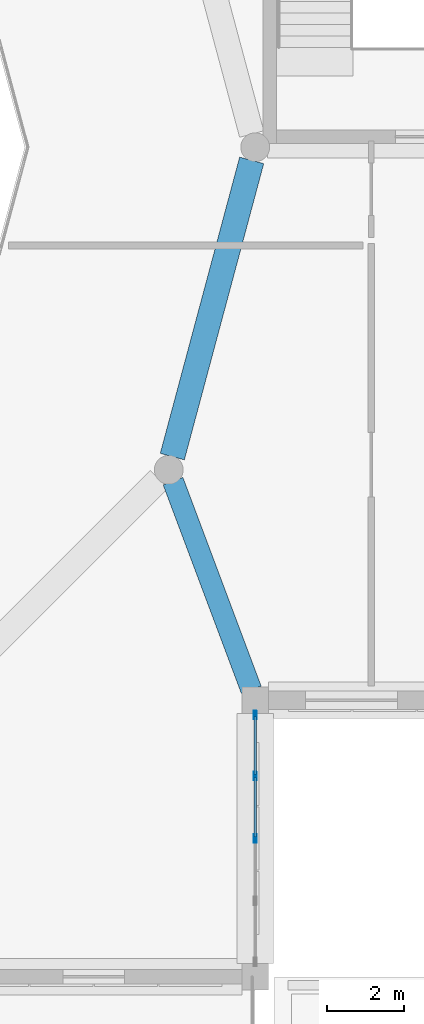
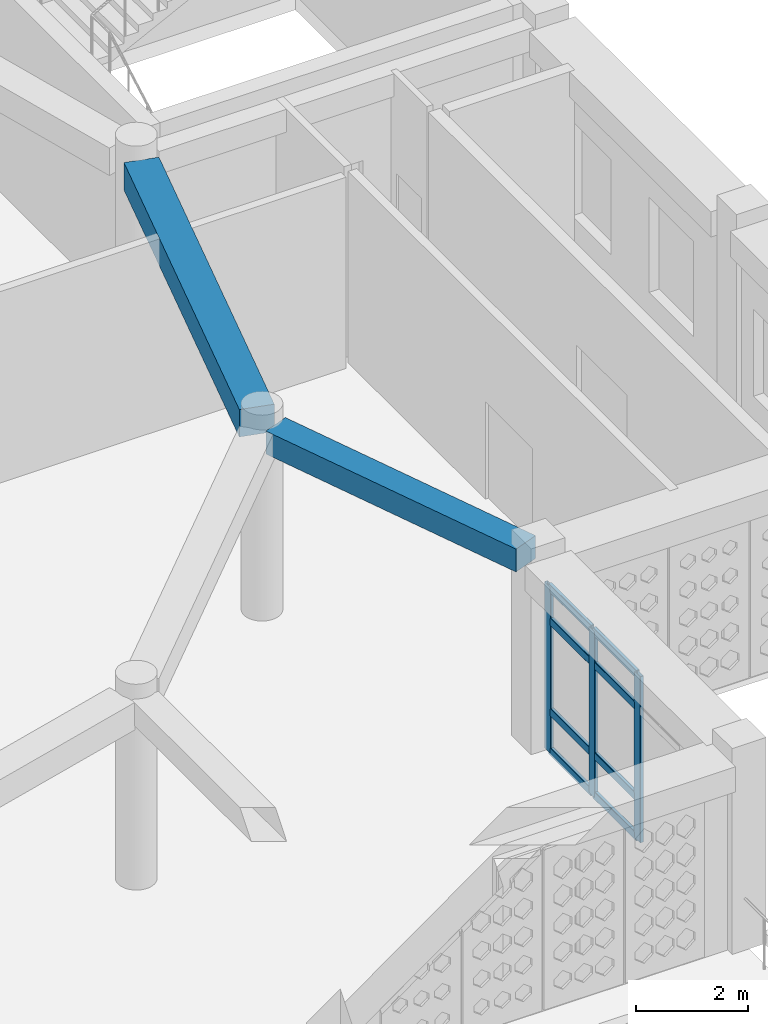
# One storey, part 22 of 100: 11 members, 2 beams, 1 element without a shape of its own.
"""IFC4 building model written with IfcOpenShell, lengths in metres."""

from ifc_helpers import new_model, si_unit, derived_unit, direction, frame, origin, origin_2d, place, context, subcontext, project, spatial, rectangle, hollow_rectangle, extrude, material, material_profile, profile_set, type_object, element, aggregate, save


model = new_model("IFC4")

# Units and contexts
model_context = context("Model", 3, precision=1e-05, world=origin(), true_north=direction((0.0, 1.0)))
body_context = subcontext(model_context, "Body", "Model", "MODEL_VIEW")
ifc_project = project(units=[si_unit("LENGTHUNIT", "METRE"), si_unit("AREAUNIT", "SQUARE_METRE"), si_unit("VOLUMEUNIT", "CUBIC_METRE"), si_unit("PLANEANGLEUNIT", "RADIAN"), si_unit("MASSUNIT", "GRAM", prefix="KILO"), derived_unit("THERMALTRANSMITTANCEUNIT", [(si_unit("POWERUNIT", "WATT"), 1), (si_unit("LENGTHUNIT", "METRE"), -2), (si_unit("THERMODYNAMICTEMPERATUREUNIT", "KELVIN"), -1)])], contexts=[model_context])

# Site, building, storey
site_placement = place(None, origin())
site = spatial("IfcSite", under=ifc_project, at=site_placement, CompositionType="ELEMENT")
building_placement = place(site_placement, origin())
building = spatial("IfcBuilding", under=site, at=building_placement, Name="Veybourne Emporium", CompositionType="ELEMENT")
storey_placement = place(building_placement, frame((0.0, 0.0, 14.39990234375)))
storey = spatial("IfcBuildingStorey", under=building, at=storey_placement, Name="L03", CompositionType="ELEMENT", Elevation=14.39990234375)

# Curtain wall, members
ifc_material_1 = material(Name="Patinated Architectural Bronze", Category="bronze")
curtain_wall_type = type_object("IfcCurtainWallType", Name="CWSystem_CWS-17", PredefinedType="NOTDEFINED", material=ifc_material_1)
curtain_wall_placement = place(storey_placement, origin())
curtain_wall = element("IfcCurtainWall", 1, at=curtain_wall_placement, inside=storey, type_object=curtain_wall_type, Name="L03 bronze glazed curtain wall CWS-17 (042)", PredefinedType="NOTDEFINED")
ifc_material_profile_1 = material_profile(ifc_material_1, hollow_rectangle(XDim=0.072021484375, YDim=0.22509765625, WallThickness=0.0048828125, InnerFilletRadius=0.007568359375, OuterFilletRadius=0.012451171875, at=origin_2d()), Name="CWM 72x225x5")
ifc_profile_set_1 = profile_set([ifc_material_profile_1], Name="Patinated Architectural Bronze")
member_type_1 = type_object("IfcMemberType", Name="CWMullion_CW-M1", PredefinedType="MULLION", material=ifc_profile_set_1)
member_1_placement = place(storey_placement, frame((92.39990234375, 35.614013671875, 0.0), z_axis=(0.0, 0.0, 1.0), x_axis=(1.0, 0.0, 0.0)))
member_1 = element("IfcMember", 2, at=member_1_placement, type_object=member_type_1, Name="CWS-17 mullion 1", PredefinedType="MULLION", context=body_context, shape_type="SweptSolid", body=[
    extrude(hollow_rectangle(XDim=0.072021484375, YDim=0.22509765625, WallThickness=0.0048828125, InnerFilletRadius=0.007568359375, OuterFilletRadius=0.012451171875, at=origin_2d()), origin(), (0.0, 0.0, 1.0), 3.630126953125),
])
member_2_placement = place(storey_placement, frame((92.39990234375, 34.02490234375, 0.0), z_axis=(0.0, 0.0, 1.0), x_axis=(1.0, 0.0, 0.0)))
member_2 = element("IfcMember", 3, at=member_2_placement, type_object=member_type_1, Name="CWS-17 mullion 2", PredefinedType="MULLION", context=body_context, shape_type="SweptSolid", body=[
    extrude(hollow_rectangle(XDim=0.072021484375, YDim=0.22509765625, WallThickness=0.0048828125, InnerFilletRadius=0.007568359375, OuterFilletRadius=0.012451171875, at=origin_2d()), origin(), (0.0, 0.0, 1.0), 3.630126953125),
])
member_3_placement = place(storey_placement, frame((92.39990234375, 32.39990234375, 0.0), z_axis=(0.0, 0.0, 1.0), x_axis=(1.0, 0.0, 0.0)))
member_3 = element("IfcMember", 4, at=member_3_placement, type_object=member_type_1, Name="CWS-17 mullion 3", PredefinedType="MULLION", context=body_context, shape_type="SweptSolid", body=[
    extrude(hollow_rectangle(XDim=0.072021484375, YDim=0.22509765625, WallThickness=0.0048828125, InnerFilletRadius=0.007568359375, OuterFilletRadius=0.012451171875, at=origin_2d()), origin(), (0.0, 0.0, 1.0), 3.630126953125),
])
ifc_material_profile_2 = material_profile(ifc_material_1, hollow_rectangle(XDim=0.072021484375, YDim=0.175048828125, WallThickness=0.0048828125, InnerFilletRadius=0.007568359375, OuterFilletRadius=0.012451171875, at=origin_2d()), Name="CWT 72x175x5")
ifc_profile_set_2 = profile_set([ifc_material_profile_2], Name="Patinated Architectural Bronze")
member_type_2 = type_object("IfcMemberType", Name="CWTransom_CW-T1", PredefinedType="NOTDEFINED", material=ifc_profile_set_2)
member_4_placement = place(storey_placement, frame((92.39990234375, 35.577880859375, 0.0361328125), z_axis=(0.0, -1.0, 0.0), x_axis=(1.0, 0.0, 0.0)))
member_4 = element("IfcMember", 5, at=member_4_placement, type_object=member_type_2, Name="CWS-17 transom 1.1", ObjectType="TRANSOM", PredefinedType="USERDEFINED", context=body_context, shape_type="SweptSolid", body=[
    extrude(hollow_rectangle(XDim=0.072021484375, YDim=0.175048828125, WallThickness=0.0048828125, InnerFilletRadius=0.007568359375, OuterFilletRadius=0.012451171875, at=origin_2d()), origin(), (0.0, 0.0, 1.0), 1.516845703125),
])
member_5_placement = place(storey_placement, frame((92.39990234375, 35.577880859375, 0.900146484375), z_axis=(0.0, -1.0, 0.0), x_axis=(1.0, 0.0, 0.0)))
member_5 = element("IfcMember", 6, at=member_5_placement, type_object=member_type_2, Name="CWS-17 transom 1.2", ObjectType="TRANSOM", PredefinedType="USERDEFINED", context=body_context, shape_type="SweptSolid", body=[
    extrude(hollow_rectangle(XDim=0.072021484375, YDim=0.175048828125, WallThickness=0.0048828125, InnerFilletRadius=0.007568359375, OuterFilletRadius=0.012451171875, at=origin_2d()), origin(), (0.0, 0.0, 1.0), 1.516845703125),
])
member_6_placement = place(storey_placement, frame((92.39990234375, 35.577880859375, 2.880126953125), z_axis=(0.0, -1.0, 0.0), x_axis=(1.0, 0.0, 0.0)))
member_6 = element("IfcMember", 7, at=member_6_placement, type_object=member_type_2, Name="CWS-17 transom 1.3", ObjectType="TRANSOM", PredefinedType="USERDEFINED", context=body_context, shape_type="SweptSolid", body=[
    extrude(hollow_rectangle(XDim=0.072021484375, YDim=0.175048828125, WallThickness=0.0048828125, InnerFilletRadius=0.007568359375, OuterFilletRadius=0.012451171875, at=origin_2d()), origin(), (0.0, 0.0, 1.0), 1.516845703125),
])
member_7_placement = place(storey_placement, frame((92.39990234375, 35.577880859375, 3.593994140625), z_axis=(0.0, -1.0, 0.0), x_axis=(1.0, 0.0, 0.0)))
member_7 = element("IfcMember", 8, at=member_7_placement, type_object=member_type_2, Name="CWS-17 transom 1.4", ObjectType="TRANSOM", PredefinedType="USERDEFINED", context=body_context, shape_type="SweptSolid", body=[
    extrude(hollow_rectangle(XDim=0.072021484375, YDim=0.175048828125, WallThickness=0.0048828125, InnerFilletRadius=0.007568359375, OuterFilletRadius=0.012451171875, at=origin_2d()), origin(), (0.0, 0.0, 1.0), 1.516845703125),
])
member_8_placement = place(storey_placement, frame((92.39990234375, 33.989013671875, 0.0361328125), z_axis=(0.0, -1.0, 0.0), x_axis=(1.0, 0.0, 0.0)))
member_8 = element("IfcMember", 9, at=member_8_placement, type_object=member_type_2, Name="CWS-17 transom 2.1", ObjectType="TRANSOM", PredefinedType="USERDEFINED", context=body_context, shape_type="SweptSolid", body=[
    extrude(hollow_rectangle(XDim=0.072021484375, YDim=0.175048828125, WallThickness=0.0048828125, InnerFilletRadius=0.007568359375, OuterFilletRadius=0.012451171875, at=origin_2d()), origin(), (0.0, 0.0, 1.0), 1.552978515625),
])
member_9_placement = place(storey_placement, frame((92.39990234375, 33.989013671875, 0.900146484375), z_axis=(0.0, -1.0, 0.0), x_axis=(1.0, 0.0, 0.0)))
member_9 = element("IfcMember", 10, at=member_9_placement, type_object=member_type_2, Name="CWS-17 transom 2.2", ObjectType="TRANSOM", PredefinedType="USERDEFINED", context=body_context, shape_type="SweptSolid", body=[
    extrude(hollow_rectangle(XDim=0.072021484375, YDim=0.175048828125, WallThickness=0.0048828125, InnerFilletRadius=0.007568359375, OuterFilletRadius=0.012451171875, at=origin_2d()), origin(), (0.0, 0.0, 1.0), 1.552978515625),
])
member_10_placement = place(storey_placement, frame((92.39990234375, 33.989013671875, 2.880126953125), z_axis=(0.0, -1.0, 0.0), x_axis=(1.0, 0.0, 0.0)))
member_10 = element("IfcMember", 11, at=member_10_placement, type_object=member_type_2, Name="CWS-17 transom 2.3", ObjectType="TRANSOM", PredefinedType="USERDEFINED", context=body_context, shape_type="SweptSolid", body=[
    extrude(hollow_rectangle(XDim=0.072021484375, YDim=0.175048828125, WallThickness=0.0048828125, InnerFilletRadius=0.007568359375, OuterFilletRadius=0.012451171875, at=origin_2d()), origin(), (0.0, 0.0, 1.0), 1.552978515625),
])
member_11_placement = place(storey_placement, frame((92.39990234375, 33.989013671875, 3.593994140625), z_axis=(0.0, -1.0, 0.0), x_axis=(1.0, 0.0, 0.0)))
member_11 = element("IfcMember", 12, at=member_11_placement, type_object=member_type_2, Name="CWS-17 transom 2.4", ObjectType="TRANSOM", PredefinedType="USERDEFINED", context=body_context, shape_type="SweptSolid", body=[
    extrude(hollow_rectangle(XDim=0.072021484375, YDim=0.175048828125, WallThickness=0.0048828125, InnerFilletRadius=0.007568359375, OuterFilletRadius=0.012451171875, at=origin_2d()), origin(), (0.0, 0.0, 1.0), 1.552978515625),
])
aggregate(curtain_wall, [member_1, member_2, member_3, member_4, member_5, member_6, member_7, member_8, member_9, member_10, member_11])

# Beams
ifc_material_2 = material(Name="Concrete C32/40", Category="concrete")
ifc_material_profile_3 = material_profile(ifc_material_2, rectangle(XDim=0.64990234375, YDim=0.60009765625, at=origin_2d()), Name="RC 650x600")
ifc_profile_set_3 = profile_set([ifc_material_profile_3], Name="Concrete C32/40")
beam_type_1 = type_object("IfcBeamType", Name="RCBeam_EB-02", PredefinedType="BEAM", material=ifc_profile_set_3)
beam_1_placement = place(storey_placement, frame((90.2412109375, 42.343017578125, 3.880126953125), z_axis=(0.258807903268, 0.965928811666, 0.0), x_axis=(-0.965928811666, 0.258807903268, 0.0)))
element("IfcBeam", 13, at=beam_1_placement, inside=storey, type_object=beam_type_1, Name="Atrium ring beam EB-02 L03-12", PredefinedType="BEAM", context=body_context, shape_type="SweptSolid", body=[
    extrude(rectangle(XDim=0.64990234375, YDim=0.60009765625, at=origin_2d()), origin(), (0.0, 0.0, 1.0), 7.986328125),
])
ifc_material_profile_4 = material_profile(ifc_material_2, rectangle(XDim=0.550048828125, YDim=0.5, at=origin_2d()), Name="RC 550x500")
ifc_profile_set_4 = profile_set([ifc_material_profile_4], Name="Concrete C32/40")
beam_type_2 = type_object("IfcBeamType", Name="RCBeam_TB-01", PredefinedType="BEAM", material=ifc_profile_set_4)
beam_2_placement = place(storey_placement, frame((90.259765625, 41.705078125, 3.93017578125), z_axis=(0.351234086371, -0.936287678318, 0.0), x_axis=(0.936287678318, 0.351234086371, 0.0)))
element("IfcBeam", 14, at=beam_2_placement, inside=storey, type_object=beam_type_2, Name="Atrium radial tie beam L03-12", PredefinedType="BEAM", context=body_context, shape_type="SweptSolid", body=[
    extrude(rectangle(XDim=0.550048828125, YDim=0.5, at=origin_2d()), origin(), (0.0, 0.0, 1.0), 5.80322265625),
])

save(model, "model.ifc")
